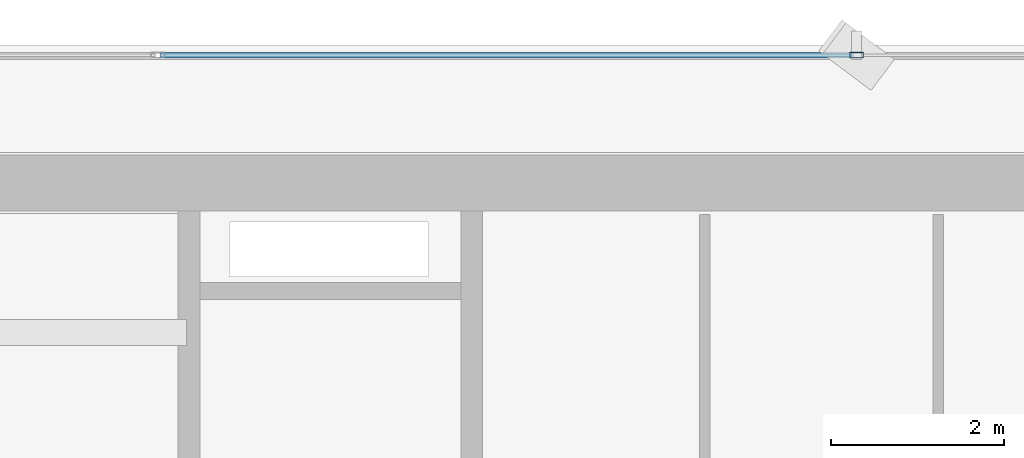
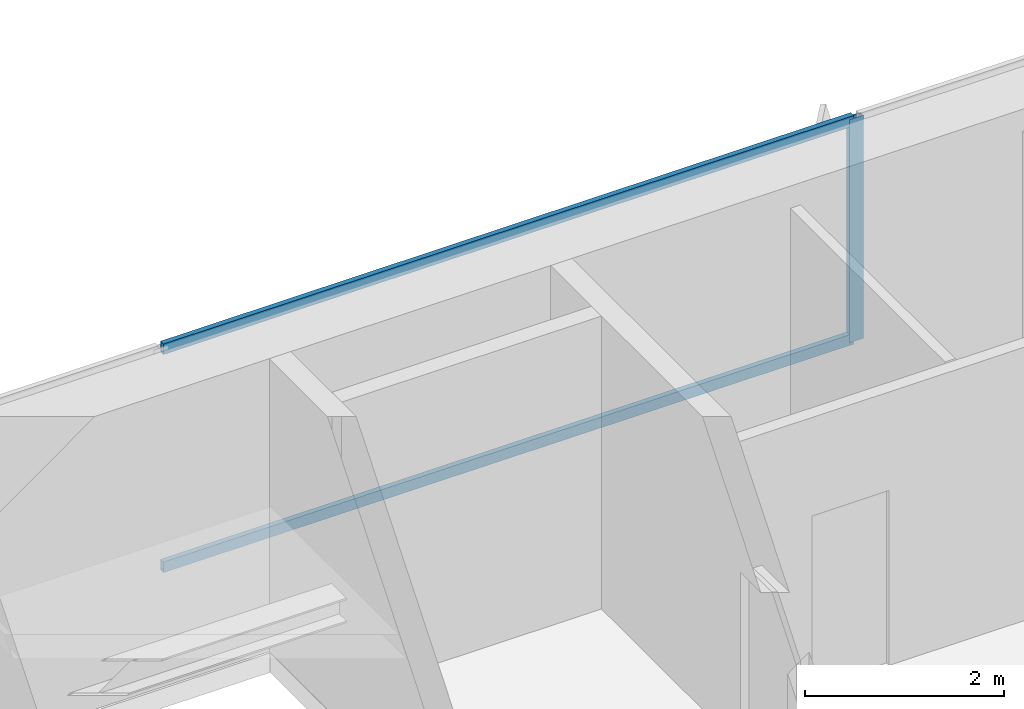
# One storey, part 21 of 36: 3 members, 1 element without a shape of its own.
"""IFC4 building model written with IfcOpenShell, lengths in metres."""

from ifc_helpers import new_model, si_unit, direction, frame, origin, origin_2d, place, context, subcontext, project, spatial, hollow_rectangle, extrude, source, transform, mapped, material, layer, layer_set, material_profile, profile_set, type_object, element, aggregate, save


model = new_model("IFC4")

# Units and contexts
model_context = context("Model", 3, precision=1e-05, world=origin(), true_north=direction((0.0, 1.0)))
body_context = subcontext(model_context, "Body", "Model", "MODEL_VIEW")
ifc_project = project(units=[si_unit("LENGTHUNIT", "METRE"), si_unit("AREAUNIT", "SQUARE_METRE"), si_unit("VOLUMEUNIT", "CUBIC_METRE"), si_unit("PLANEANGLEUNIT", "RADIAN"), si_unit("MASSUNIT", "GRAM", prefix="KILO")], contexts=[model_context])

# Site, building, storey
site_placement = place(None, origin())
site = spatial("IfcSite", under=ifc_project, at=site_placement, CompositionType="ELEMENT")
building_placement = place(site_placement, origin())
building = spatial("IfcBuilding", under=site, at=building_placement, Name="Sumidabori Civic Tower", CompositionType="ELEMENT")
storey_placement = place(building_placement, frame((0.0, 0.0, 92.0)))
storey = spatial("IfcBuildingStorey", under=building, at=storey_placement, Name="L23", CompositionType="ELEMENT", Elevation=92.0)

# Curtain wall, members
ifc_material = material(Name="Anodised Bronze Aluminium AW-6063-T6", Category="aluminium")
ifc_layer = layer(ifc_material, 0.179931640625, Name="Anodised Bronze Aluminium AW-6063-T6")
ifc_layer_set = layer_set([ifc_layer], Name="Anodised Bronze Aluminium AW-6063-T6")
curtain_wall_type = type_object("IfcCurtainWallType", Name="CW-SYS-3", PredefinedType="NOTDEFINED", material=ifc_layer_set)
curtain_wall_placement = place(storey_placement, origin())
curtain_wall = element("IfcCurtainWall", 1, at=curtain_wall_placement, inside=storey, type_object=curtain_wall_type, Name="Curtain Wall CW:L23:R07", PredefinedType="NOTDEFINED")
ifc_material_profile_1 = material_profile(ifc_material, hollow_rectangle(XDim=0.06494140625, YDim=0.159912109375, WallThickness=0.0048828125, at=origin_2d()), Name="ALU MULLION 160x65")
ifc_profile_set_1 = profile_set([ifc_material_profile_1], Name="Anodised Bronze Aluminium AW-6063-T6")
member_type_1 = type_object("IfcMemberType", Name="CW-MUL-160", PredefinedType="MULLION", material=ifc_profile_set_1)
shared_shape_1 = source(origin(), body_context, "Body", "SweptSolid", [
    extrude(hollow_rectangle(XDim=0.06494140625, YDim=0.159912109375, WallThickness=0.0048828125, at=origin_2d()), origin(), (0.0, 0.0, 1.0), 2.739990234375),
])
member_1_placement = place(storey_placement, frame((-4.0439453125, 25.280029296875, 0.0), z_axis=(0.0, 0.0, 1.0), x_axis=(0.0, -1.0, 0.0)))
member_1 = element("IfcMember", 2, at=member_1_placement, type_object=member_type_1, Name="CW-3 mullion 4", PredefinedType="MULLION", context=body_context, shape_type="MappedRepresentation", body=[
    mapped(shared_shape_1, transform((0.0, 0.0, 0.0), x_axis=(1.0, 0.0, 0.0), y_axis=(0.0, 1.0, 0.0), z_axis=(0.0, 0.0, 1.0), scale=1.0)),
])
ifc_material_profile_2 = material_profile(ifc_material, hollow_rectangle(XDim=0.06005859375, YDim=0.1298828125, WallThickness=0.0048828125, at=origin_2d()), Name="ALU TRANSOM 130x60")
ifc_profile_set_2 = profile_set([ifc_material_profile_2], Name="Anodised Bronze Aluminium AW-6063-T6")
member_type_2 = type_object("IfcMemberType", Name="CW-TRN-130", PredefinedType="USERDEFINED", material=ifc_profile_set_2)
shared_shape_2 = source(origin(), body_context, "Body", "SweptSolid", [
    extrude(hollow_rectangle(XDim=0.06005859375, YDim=0.1298828125, WallThickness=0.0048828125, at=origin_2d()), origin(), (0.0, 0.0, 1.0), 8.023193359375),
])
member_2_placement = place(storey_placement, frame((-4.076416015625, 25.280029296875, 0.030029296875), z_axis=(-1.0, 0.0, 0.0), x_axis=(0.0, -1.0, 0.0)))
member_2 = element("IfcMember", 3, at=member_2_placement, type_object=member_type_2, Name="CW-3 transom 4.1", ObjectType="TRANSOM", PredefinedType="USERDEFINED", context=body_context, shape_type="MappedRepresentation", body=[
    mapped(shared_shape_2, transform((0.0, 0.0, 0.0), x_axis=(1.0, 0.0, 0.0), y_axis=(0.0, 1.0, 0.0), z_axis=(0.0, 0.0, 1.0), scale=1.0)),
])
member_3_placement = place(storey_placement, frame((-4.076416015625, 25.280029296875, 2.7099609375), z_axis=(-1.0, 0.0, 0.0), x_axis=(0.0, -1.0, 0.0)))
member_3 = element("IfcMember", 4, at=member_3_placement, type_object=member_type_2, Name="CW-3 transom 4.2", ObjectType="TRANSOM", PredefinedType="USERDEFINED", context=body_context, shape_type="MappedRepresentation", body=[
    mapped(shared_shape_2, transform((0.0, 0.0, 0.0), x_axis=(1.0, 0.0, 0.0), y_axis=(0.0, 1.0, 0.0), z_axis=(0.0, 0.0, 1.0), scale=1.0)),
])
aggregate(curtain_wall, [member_1, member_2, member_3])

save(model, "model.ifc")
